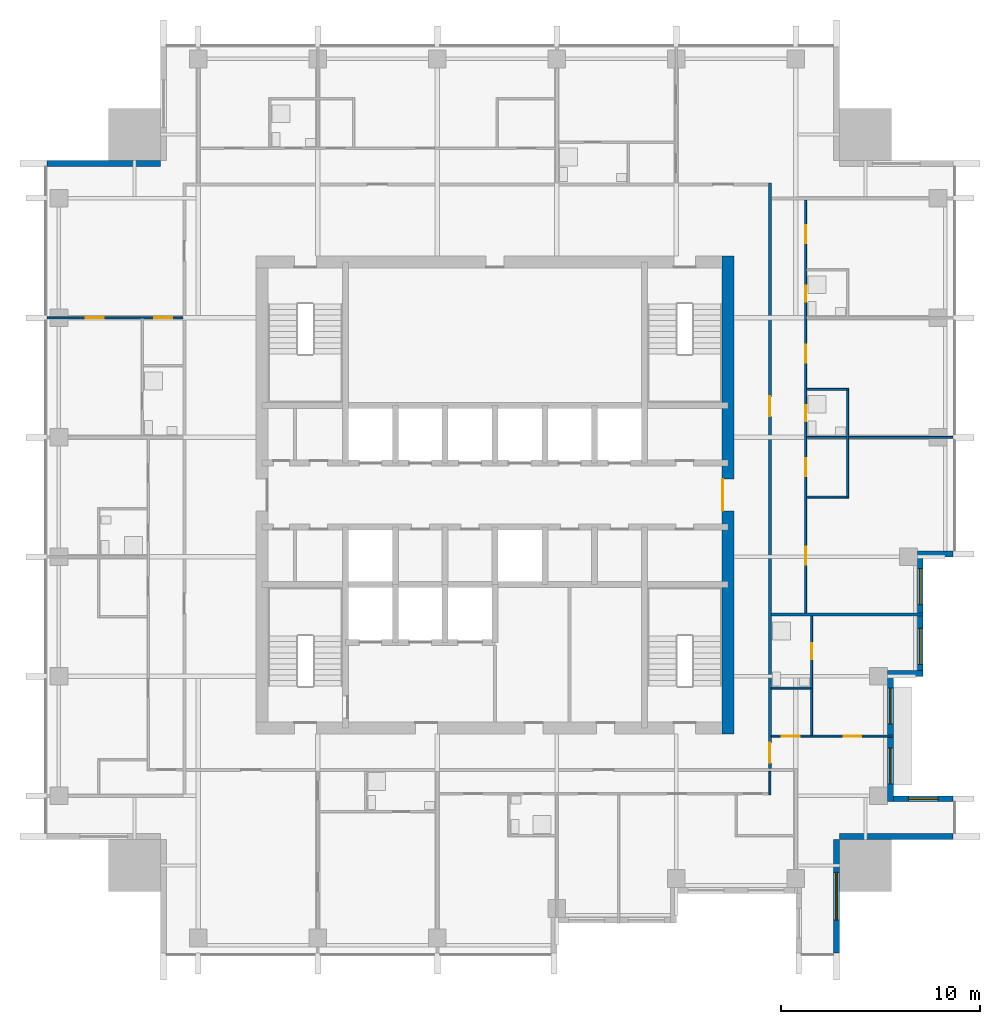
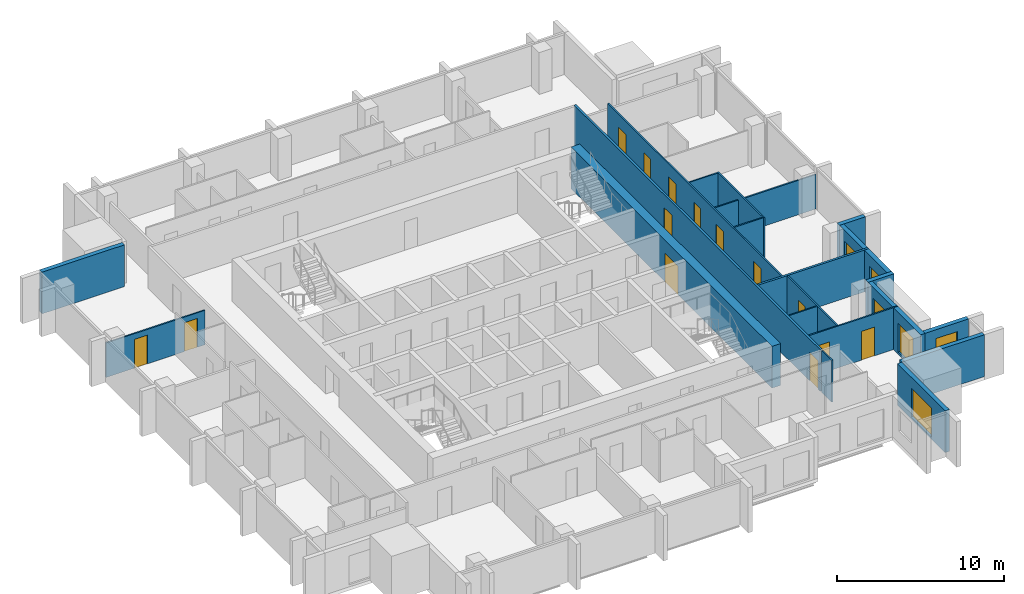
# One storey, part 6 of 10: 21 walls, 14 doors, 6 windows, 20 openings.
"""IFC4 building model written with IfcOpenShell, lengths in metres."""

from ifc_helpers import new_model, si_unit, direction, frame, frame_2d, origin, place, context, subcontext, project, spatial, rectangle, extrude, material, layer, layer_set, type_object, element, fill, save


model = new_model("IFC4")

# Units and contexts
model_context = context("Model", 3, precision=1e-05, world=origin(), true_north=direction((0.0, 1.0)))
body_context = subcontext(model_context, "Body", "Model", "MODEL_VIEW")
ifc_project = project(units=[si_unit("LENGTHUNIT", "METRE"), si_unit("AREAUNIT", "SQUARE_METRE"), si_unit("VOLUMEUNIT", "CUBIC_METRE"), si_unit("PLANEANGLEUNIT", "RADIAN"), si_unit("MASSUNIT", "GRAM", prefix="KILO")], contexts=[model_context])

# Site, building, storey
site_placement = place(None, origin())
site = spatial("IfcSite", under=ifc_project, at=site_placement, CompositionType="ELEMENT")
building_placement = place(site_placement, origin())
building = spatial("IfcBuilding", under=site, at=building_placement, Name="Amberfall Residences", CompositionType="ELEMENT")
storey_placement = place(building_placement, frame((0.0, 0.0, 190.300048828125)))
storey = spatial("IfcBuildingStorey", under=building, at=storey_placement, Name="L50", CompositionType="ELEMENT", Elevation=190.300048828125)

# Wall, opening, window
ifc_material_1 = material(Name="Pale stone cladding on insulated backing", Category="masonry")
ifc_layer_1 = layer(ifc_material_1, 0.300048828125)
ifc_layer_set_1 = layer_set([ifc_layer_1], Name="Bronze clad wall 300")
wall_type_1 = type_object("IfcWallType", Name="Bronze clad wall 300", PredefinedType="SOLIDWALL", material=ifc_layer_set_1)
wall_1_placement = place(storey_placement, frame((91.64990234375, 22.5, 0.0), z_axis=(0.0, 0.0, 1.0), x_axis=(0.0, 1.0, 0.0)))
wall_1 = element("IfcWall", 1, at=wall_1_placement, inside=storey, type_object=wall_type_1, Name="External wall L50 SE", PredefinedType="SOLIDWALL", context=body_context, shape_type="SweptSolid", body=[
    extrude(rectangle(XDim=5.699951171875, YDim=0.300048828125, at=frame_2d((2.85009765625, 0.0))), origin(), (0.0, 0.0, 1.0), 3.050048828125),
])
opening_1_placement = place(wall_1_placement, frame((1.64990234375, 0.0, 0.14990234375)))
opening_1 = element("IfcOpeningElement", 2, at=opening_1_placement, cuts=wall_1, Name="Opening WN5", PredefinedType="OPENING", context=body_context, shape_type="SweptSolid", body=[
    extrude(rectangle(XDim=2.39990234375, YDim=2.10009765625, at=frame_2d((1.199951171875, 1.050048828125))), frame((0.0, 0.159912109375, 0.0), z_axis=(0.0, -1.0, 0.0), x_axis=(1.0, 0.0, 0.0)), (0.0, 0.0, 1.0), 0.320068359375),
])
ifc_material_2 = material(Name="Bronze aluminium framed glazing", Category="aluminium")
window_type_1 = type_object("IfcWindowType", Name="Glazed opening 2400 x 2100 bronze", PartitioningType="DOUBLE_PANEL_VERTICAL", PredefinedType="WINDOW", material=ifc_material_2)
window_1_placement = place(opening_1_placement, origin())
window_1 = element("IfcWindow", 3, at=window_1_placement, inside=storey, type_object=window_type_1, Name="Window L50 SE", OverallHeight=2.10009765625, OverallWidth=2.39990234375, PartitioningType="DOUBLE_PANEL_VERTICAL", PredefinedType="WINDOW", context=body_context, shape_type="SweptSolid", body=[
    extrude(rectangle(XDim=2.39990234375, YDim=2.10009765625, at=frame_2d((1.199951171875, 1.050048828125))), frame((0.0, 0.030029296875, 0.0), z_axis=(0.0, -1.0, 0.0), x_axis=(1.0, 0.0, 0.0)), (0.0, 0.0, 1.0), 0.06005859375),
])
fill(opening_1, window_1)

# Wall
wall_2_placement = place(storey_placement, frame((91.800048828125, 28.35009765625, 0.0), z_axis=(0.0, 0.0, 1.0), x_axis=(1.0, 0.0, 0.0)))
element("IfcWall", 4, at=wall_2_placement, inside=storey, type_object=wall_type_1, Name="External wall L50 SE", PredefinedType="SOLIDWALL", context=body_context, shape_type="SweptSolid", body=[
    extrude(rectangle(XDim=5.699951171875, YDim=0.300048828125, at=frame_2d((2.85009765625, 0.0))), origin(), (0.0, 0.0, 1.0), 3.050048828125),
])

# Wall, opening, window
wall_3_placement = place(storey_placement, frame((97.5, 30.25, 0.0), z_axis=(0.0, 0.0, 1.0), x_axis=(-1.0, 0.0, 0.0)))
wall_3 = element("IfcWall", 5, at=wall_3_placement, inside=storey, type_object=wall_type_1, Name="External wall L50 E", PredefinedType="SOLIDWALL", context=body_context, shape_type="SweptSolid", body=[
    extrude(rectangle(XDim=3.0, YDim=0.300048828125, at=frame_2d((1.5, 0.0))), origin(), (0.0, 0.0, 1.0), 3.050048828125),
])
opening_2_placement = place(wall_3_placement, frame((0.75, 0.0, 0.89990234375)))
opening_2 = element("IfcOpeningElement", 6, at=opening_2_placement, cuts=wall_3, Name="Opening WN1", PredefinedType="OPENING", context=body_context, shape_type="SweptSolid", body=[
    extrude(rectangle(XDim=1.5, YDim=1.5, at=frame_2d((0.75, 0.75))), frame((0.0, 0.159912109375, 0.0), z_axis=(0.0, -1.0, 0.0), x_axis=(1.0, 0.0, 0.0)), (0.0, 0.0, 1.0), 0.320068359375),
])
window_type_2 = type_object("IfcWindowType", Name="Window 1500 x 1500 bronze", PartitioningType="DOUBLE_PANEL_VERTICAL", PredefinedType="WINDOW", material=ifc_material_2)
window_2_placement = place(opening_2_placement, origin())
window_2 = element("IfcWindow", 7, at=window_2_placement, inside=storey, type_object=window_type_2, Name="Window L50 E", OverallHeight=1.5, OverallWidth=1.5, PartitioningType="DOUBLE_PANEL_VERTICAL", PredefinedType="WINDOW", context=body_context, shape_type="SweptSolid", body=[
    extrude(rectangle(XDim=1.5, YDim=1.5, at=frame_2d((0.75, 0.75))), frame((0.0, 0.030029296875, 0.0), z_axis=(0.0, -1.0, 0.0), x_axis=(1.0, 0.0, 0.0)), (0.0, 0.0, 1.0), 0.06005859375),
])
fill(opening_2, window_2)

# Walls
for number, where, z_axis, x_axis, name in (
    (8, (94.199951171875, 36.550048828125, 0.0), (0.0, 0.0, 1.0), (1.0, 0.0, 0.0), "External wall L50 E"),
    (9, (95.699951171875, 42.550048828125, 0.0), (0.0, 0.0, 1.0), (1.0, 0.0, 0.0), "External wall L50 E"),
):
    element("IfcWall", number, at=place(storey_placement, frame(where, z_axis=z_axis, x_axis=x_axis)), inside=storey, type_object=wall_type_1, Name=name, PredefinedType="SOLIDWALL", context=body_context, shape_type="SweptSolid", body=[
        extrude(rectangle(XDim=1.800048828125, YDim=0.300048828125, at=frame_2d((0.89990234375, 0.0))), origin(), (0.0, 0.0, 1.0), 3.050048828125),
    ])
wall_4_placement = place(storey_placement, frame((57.699951171875, 62.14990234375, 0.0), z_axis=(0.0, 0.0, 1.0), x_axis=(-1.0, 0.0, 0.0)))
element("IfcWall", 10, at=wall_4_placement, inside=storey, type_object=wall_type_1, Name="External wall L50 NW", PredefinedType="SOLIDWALL", context=body_context, shape_type="SweptSolid", body=[
    extrude(rectangle(XDim=5.699951171875, YDim=0.300048828125, at=frame_2d((2.85009765625, 0.0))), origin(), (0.0, 0.0, 1.0), 3.050048828125),
])

# Wall, openings, windows
wall_5_placement = place(storey_placement, frame((94.35009765625, 30.10009765625, 0.0), z_axis=(0.0, 0.0, 1.0), x_axis=(0.0, 1.0, 0.0)))
wall_5 = element("IfcWall", 11, at=wall_5_placement, inside=storey, type_object=wall_type_1, Name="Stone wall L50 E", PredefinedType="SOLIDWALL", context=body_context, shape_type="SweptSolid", body=[
    extrude(rectangle(XDim=6.2998046875, YDim=0.300048828125, at=frame_2d((3.14990234375, 0.0))), origin(), (0.0, 0.0, 1.0), 3.050048828125),
])
opening_3_placement = place(wall_5_placement, frame((0.89990234375, 0.0, 0.14990234375)))
opening_3 = element("IfcOpeningElement", 12, at=opening_3_placement, cuts=wall_5, Name="Opening WN6", PredefinedType="OPENING", context=body_context, shape_type="SweptSolid", body=[
    extrude(rectangle(XDim=1.800048828125, YDim=2.10009765625, at=frame_2d((0.89990234375, 1.050048828125))), frame((0.0, 0.159912109375, 0.0), z_axis=(0.0, -1.0, 0.0), x_axis=(1.0, 0.0, 0.0)), (0.0, 0.0, 1.0), 0.320068359375),
])
opening_4_placement = place(wall_5_placement, frame((3.89990234375, 0.0, 0.14990234375)))
opening_4 = element("IfcOpeningElement", 13, at=opening_4_placement, cuts=wall_5, Name="Opening WN6", PredefinedType="OPENING", context=body_context, shape_type="SweptSolid", body=[
    extrude(rectangle(XDim=1.800048828125, YDim=2.10009765625, at=frame_2d((0.89990234375, 1.050048828125))), frame((0.0, 0.159912109375, 0.0), z_axis=(0.0, -1.0, 0.0), x_axis=(1.0, 0.0, 0.0)), (0.0, 0.0, 1.0), 0.320068359375),
])
window_type_3 = type_object("IfcWindowType", Name="Glazed opening 1800 x 2100 bronze", PartitioningType="DOUBLE_PANEL_VERTICAL", PredefinedType="WINDOW", material=ifc_material_2)
window_3_placement = place(opening_3_placement, origin())
window_3 = element("IfcWindow", 14, at=window_3_placement, inside=storey, type_object=window_type_3, Name="Window L50 E", OverallHeight=2.10009765625, OverallWidth=1.800048828125, PartitioningType="DOUBLE_PANEL_VERTICAL", PredefinedType="WINDOW", context=body_context, shape_type="SweptSolid", body=[
    extrude(rectangle(XDim=1.800048828125, YDim=2.10009765625, at=frame_2d((0.89990234375, 1.050048828125))), frame((0.0, 0.030029296875, 0.0), z_axis=(0.0, -1.0, 0.0), x_axis=(1.0, 0.0, 0.0)), (0.0, 0.0, 1.0), 0.06005859375),
])
fill(opening_3, window_3)
window_4_placement = place(opening_4_placement, origin())
window_4 = element("IfcWindow", 15, at=window_4_placement, inside=storey, type_object=window_type_3, Name="Window L50 E", OverallHeight=2.10009765625, OverallWidth=1.800048828125, PartitioningType="DOUBLE_PANEL_VERTICAL", PredefinedType="WINDOW", context=body_context, shape_type="SweptSolid", body=[
    extrude(rectangle(XDim=1.800048828125, YDim=2.10009765625, at=frame_2d((0.89990234375, 1.050048828125))), frame((0.0, 0.030029296875, 0.0), z_axis=(0.0, -1.0, 0.0), x_axis=(1.0, 0.0, 0.0)), (0.0, 0.0, 1.0), 0.06005859375),
])
fill(opening_4, window_4)

wall_6_placement = place(storey_placement, frame((95.85009765625, 36.699951171875, 0.0), z_axis=(0.0, 0.0, 1.0), x_axis=(0.0, 1.0, 0.0)))
wall_6 = element("IfcWall", 16, at=wall_6_placement, inside=storey, type_object=wall_type_1, Name="Stone wall L50 E", PredefinedType="SOLIDWALL", context=body_context, shape_type="SweptSolid", body=[
    extrude(rectangle(XDim=5.699951171875, YDim=0.300048828125, at=frame_2d((2.85009765625, 0.0))), origin(), (0.0, 0.0, 1.0), 3.050048828125),
])
opening_5_placement = place(wall_6_placement, frame((0.300048828125, 0.0, 0.14990234375)))
opening_5 = element("IfcOpeningElement", 17, at=opening_5_placement, cuts=wall_6, Name="Opening WN6", PredefinedType="OPENING", context=body_context, shape_type="SweptSolid", body=[
    extrude(rectangle(XDim=1.800048828125, YDim=2.10009765625, at=frame_2d((0.89990234375, 1.050048828125))), frame((0.0, 0.159912109375, 0.0), z_axis=(0.0, -1.0, 0.0), x_axis=(1.0, 0.0, 0.0)), (0.0, 0.0, 1.0), 0.320068359375),
])
opening_6_placement = place(wall_6_placement, frame((3.300048828125, 0.0, 0.14990234375)))
opening_6 = element("IfcOpeningElement", 18, at=opening_6_placement, cuts=wall_6, Name="Opening WN6", PredefinedType="OPENING", context=body_context, shape_type="SweptSolid", body=[
    extrude(rectangle(XDim=1.800048828125, YDim=2.10009765625, at=frame_2d((0.89990234375, 1.050048828125))), frame((0.0, 0.159912109375, 0.0), z_axis=(0.0, -1.0, 0.0), x_axis=(1.0, 0.0, 0.0)), (0.0, 0.0, 1.0), 0.320068359375),
])
window_5_placement = place(opening_5_placement, origin())
window_5 = element("IfcWindow", 19, at=window_5_placement, inside=storey, type_object=window_type_3, Name="Window L50 E", OverallHeight=2.10009765625, OverallWidth=1.800048828125, PartitioningType="DOUBLE_PANEL_VERTICAL", PredefinedType="WINDOW", context=body_context, shape_type="SweptSolid", body=[
    extrude(rectangle(XDim=1.800048828125, YDim=2.10009765625, at=frame_2d((0.89990234375, 1.050048828125))), frame((0.0, 0.030029296875, 0.0), z_axis=(0.0, -1.0, 0.0), x_axis=(1.0, 0.0, 0.0)), (0.0, 0.0, 1.0), 0.06005859375),
])
fill(opening_5, window_5)
window_6_placement = place(opening_6_placement, origin())
window_6 = element("IfcWindow", 20, at=window_6_placement, inside=storey, type_object=window_type_3, Name="Window L50 E", OverallHeight=2.10009765625, OverallWidth=1.800048828125, PartitioningType="DOUBLE_PANEL_VERTICAL", PredefinedType="WINDOW", context=body_context, shape_type="SweptSolid", body=[
    extrude(rectangle(XDim=1.800048828125, YDim=2.10009765625, at=frame_2d((0.89990234375, 1.050048828125))), frame((0.0, 0.030029296875, 0.0), z_axis=(0.0, -1.0, 0.0), x_axis=(1.0, 0.0, 0.0)), (0.0, 0.0, 1.0), 0.06005859375),
])
fill(opening_6, window_6)

# Wall, opening, door
ifc_material_3 = material(Name="Concrete C55", Category="concrete")
ifc_layer_2 = layer(ifc_material_3, 0.60009765625)
ifc_layer_set_2 = layer_set([ifc_layer_2], Name="Core wall 600 C55")
wall_type_2 = type_object("IfcWallType", Name="Core wall 600 C55", PredefinedType="SHEAR", material=ifc_layer_set_2)
wall_7_placement = place(storey_placement, frame((86.199951171875, 33.5, 0.0), z_axis=(0.0, 0.0, 1.0), x_axis=(0.0, 1.0, 0.0)))
wall_7 = element("IfcWall", 21, at=wall_7_placement, inside=storey, type_object=wall_type_2, Name="Core wall RW7 L50 OE", PredefinedType="SHEAR", context=body_context, shape_type="SweptSolid", body=[
    extrude(rectangle(XDim=24.0, YDim=0.60009765625, at=frame_2d((12.0, 0.0))), origin(), (0.0, 0.0, 1.0), 3.050048828125),
])
opening_7_placement = place(wall_7_placement, frame((11.199951171875, 0.0, 0.0)))
opening_7 = element("IfcOpeningElement", 22, at=opening_7_placement, cuts=wall_7, Name="Opening LB1", PredefinedType="OPENING", context=body_context, shape_type="SweptSolid", body=[
    extrude(rectangle(XDim=1.60009765625, YDim=2.10009765625, at=frame_2d((0.800048828125, 1.050048828125))), frame((0.0, 0.31005859375, 0.0), z_axis=(0.0, -1.0, 0.0), x_axis=(1.0, 0.0, 0.0)), (0.0, 0.0, 1.0), 0.6201171875),
])
ifc_material_4 = material(Name="Steel fire door set", Category="steel")
door_type_1 = type_object("IfcDoorType", Name="Lift lobby double door 1600 x 2100", OperationType="DOUBLE_DOOR_SINGLE_SWING", PredefinedType="DOOR", material=ifc_material_4)
door_1_placement = place(opening_7_placement, origin())
door_1 = element("IfcDoor", 23, at=door_1_placement, inside=storey, type_object=door_type_1, Name="LB1 L50", OperationType="DOUBLE_DOOR_SINGLE_SWING", OverallHeight=2.10009765625, OverallWidth=1.60009765625, PredefinedType="DOOR", context=body_context, shape_type="SweptSolid", body=[
    extrude(rectangle(XDim=1.60009765625, YDim=2.10009765625, at=frame_2d((0.800048828125, 1.050048828125))), frame((0.0, 0.28759765625, 0.0), z_axis=(0.0, -1.0, 0.0), x_axis=(1.0, 0.0, 0.0)), (0.0, 0.0, 1.0), 0.050048828125),
])
fill(opening_7, door_1)

# Wall
ifc_material_5 = material(Name="Gypsum board on metal stud")
ifc_layer_3 = layer(ifc_material_5, 0.10009765625)
ifc_layer_set_3 = layer_set([ifc_layer_3], Name="Flat partition 100")
wall_type_3 = type_object("IfcWallType", Name="Flat partition 100", PredefinedType="PARTITIONING", material=ifc_layer_set_3)
wall_8_placement = place(storey_placement, frame((88.300048828125, 30.449951171875, 0.0), z_axis=(0.0, 0.0, 1.0), x_axis=(0.0, 1.0, 0.0)))
element("IfcWall", 24, at=wall_8_placement, inside=storey, type_object=wall_type_3, Name="Partition 017", PredefinedType="PARTITIONING", context=body_context, shape_type="SweptSolid", body=[
    extrude(rectangle(XDim=1.175048828125, YDim=0.10009765625, at=frame_2d((0.58740234375, 0.0))), origin(), (0.0, 0.0, 1.0), 3.050048828125),
])

# Wall, openings, doors
wall_9_placement = place(storey_placement, frame((90.10009765625, 60.324951171875, 0.0), z_axis=(0.0, 0.0, 1.0), x_axis=(0.0, -1.0, 0.0)))
wall_9 = element("IfcWall", 25, at=wall_9_placement, inside=storey, type_object=wall_type_3, Name="Partition 018", PredefinedType="PARTITIONING", context=body_context, shape_type="SweptSolid", body=[
    extrude(rectangle(XDim=20.75, YDim=0.10009765625, at=frame_2d((10.375, 0.0))), origin(), (0.0, 0.0, 1.0), 3.050048828125),
])
opening_8_placement = place(wall_9_placement, frame((17.425048828125, 0.0, 0.0)))
opening_8 = element("IfcOpeningElement", 26, at=opening_8_placement, cuts=wall_9, Name="Opening D41", PredefinedType="OPENING", context=body_context, shape_type="SweptSolid", body=[
    extrude(rectangle(XDim=0.89990234375, YDim=2.10009765625, at=frame_2d((0.449951171875, 1.050048828125))), frame((0.0, 0.06005859375, 0.0), z_axis=(0.0, -1.0, 0.0), x_axis=(1.0, 0.0, 0.0)), (0.0, 0.0, 1.0), 0.1201171875),
])
opening_9_placement = place(wall_9_placement, frame((12.97509765625, 0.0, 0.0)))
opening_9 = element("IfcOpeningElement", 27, at=opening_9_placement, cuts=wall_9, Name="Opening D41", PredefinedType="OPENING", context=body_context, shape_type="SweptSolid", body=[
    extrude(rectangle(XDim=0.89990234375, YDim=2.10009765625, at=frame_2d((0.449951171875, 1.050048828125))), frame((0.0, 0.06005859375, 0.0), z_axis=(0.0, -1.0, 0.0), x_axis=(1.0, 0.0, 0.0)), (0.0, 0.0, 1.0), 0.1201171875),
])
opening_10_placement = place(wall_9_placement, frame((7.27490234375, 0.0, 0.0)))
opening_10 = element("IfcOpeningElement", 28, at=opening_10_placement, cuts=wall_9, Name="Opening D41", PredefinedType="OPENING", context=body_context, shape_type="SweptSolid", body=[
    extrude(rectangle(XDim=0.89990234375, YDim=2.10009765625, at=frame_2d((0.449951171875, 1.050048828125))), frame((0.0, 0.06005859375, 0.0), z_axis=(0.0, -1.0, 0.0), x_axis=(1.0, 0.0, 0.0)), (0.0, 0.0, 1.0), 0.1201171875),
])
opening_11_placement = place(wall_9_placement, frame((1.27490234375, 0.0, 0.0)))
opening_11 = element("IfcOpeningElement", 29, at=opening_11_placement, cuts=wall_9, Name="Opening D41", PredefinedType="OPENING", context=body_context, shape_type="SweptSolid", body=[
    extrude(rectangle(XDim=0.89990234375, YDim=2.10009765625, at=frame_2d((0.449951171875, 1.050048828125))), frame((0.0, 0.06005859375, 0.0), z_axis=(0.0, -1.0, 0.0), x_axis=(1.0, 0.0, 0.0)), (0.0, 0.0, 1.0), 0.1201171875),
])
opening_12_placement = place(wall_9_placement, frame((10.324951171875, 0.0, 0.0)))
opening_12 = element("IfcOpeningElement", 30, at=opening_12_placement, cuts=wall_9, Name="Opening D42", PredefinedType="OPENING", context=body_context, shape_type="SweptSolid", body=[
    extrude(rectangle(XDim=0.800048828125, YDim=2.10009765625, at=frame_2d((0.39990234375, 1.050048828125))), frame((0.0, 0.06005859375, 0.0), z_axis=(0.0, -1.0, 0.0), x_axis=(1.0, 0.0, 0.0)), (0.0, 0.0, 1.0), 0.1201171875),
])
opening_13_placement = place(wall_9_placement, frame((4.324951171875, 0.0, 0.0)))
opening_13 = element("IfcOpeningElement", 31, at=opening_13_placement, cuts=wall_9, Name="Opening D42", PredefinedType="OPENING", context=body_context, shape_type="SweptSolid", body=[
    extrude(rectangle(XDim=0.800048828125, YDim=2.10009765625, at=frame_2d((0.39990234375, 1.050048828125))), frame((0.0, 0.06005859375, 0.0), z_axis=(0.0, -1.0, 0.0), x_axis=(1.0, 0.0, 0.0)), (0.0, 0.0, 1.0), 0.1201171875),
])
ifc_material_6 = material(Name="Timber", Category="wood")
door_type_2 = type_object("IfcDoorType", Name="Bathroom door 800 x 2100", OperationType="SINGLE_SWING_LEFT", PredefinedType="DOOR", material=ifc_material_6)
door_2_placement = place(opening_12_placement, origin())
door_2 = element("IfcDoor", 32, at=door_2_placement, inside=storey, type_object=door_type_2, Name="Door 5004 bath1", OperationType="SINGLE_SWING_LEFT", OverallHeight=2.10009765625, OverallWidth=0.800048828125, PredefinedType="DOOR", context=body_context, shape_type="SweptSolid", body=[
    extrude(rectangle(XDim=0.800048828125, YDim=2.10009765625, at=frame_2d((0.39990234375, 1.050048828125))), frame((0.0, 0.02490234375, 0.0), z_axis=(0.0, -1.0, 0.0), x_axis=(1.0, 0.0, 0.0)), (0.0, 0.0, 1.0), 0.050048828125),
])
fill(opening_12, door_2)
door_3_placement = place(opening_13_placement, origin())
door_3 = element("IfcDoor", 33, at=door_3_placement, inside=storey, type_object=door_type_2, Name="Door 5004 bath2", OperationType="SINGLE_SWING_LEFT", OverallHeight=2.10009765625, OverallWidth=0.800048828125, PredefinedType="DOOR", context=body_context, shape_type="SweptSolid", body=[
    extrude(rectangle(XDim=0.800048828125, YDim=2.10009765625, at=frame_2d((0.39990234375, 1.050048828125))), frame((0.0, 0.02490234375, 0.0), z_axis=(0.0, -1.0, 0.0), x_axis=(1.0, 0.0, 0.0)), (0.0, 0.0, 1.0), 0.050048828125),
])
fill(opening_13, door_3)
door_type_3 = type_object("IfcDoorType", Name="Internal door 900 x 2100", OperationType="SINGLE_SWING_LEFT", PredefinedType="DOOR", material=ifc_material_6)
door_4_placement = place(opening_8_placement, origin())
door_4 = element("IfcDoor", 34, at=door_4_placement, inside=storey, type_object=door_type_3, Name="Door 5004 living", OperationType="SINGLE_SWING_LEFT", OverallHeight=2.10009765625, OverallWidth=0.89990234375, PredefinedType="DOOR", context=body_context, shape_type="SweptSolid", body=[
    extrude(rectangle(XDim=0.89990234375, YDim=2.10009765625, at=frame_2d((0.449951171875, 1.050048828125))), frame((0.0, 0.02490234375, 0.0), z_axis=(0.0, -1.0, 0.0), x_axis=(1.0, 0.0, 0.0)), (0.0, 0.0, 1.0), 0.050048828125),
])
fill(opening_8, door_4)
door_5_placement = place(opening_9_placement, origin())
door_5 = element("IfcDoor", 35, at=door_5_placement, inside=storey, type_object=door_type_3, Name="Door 5004 kitchen", OperationType="SINGLE_SWING_LEFT", OverallHeight=2.10009765625, OverallWidth=0.89990234375, PredefinedType="DOOR", context=body_context, shape_type="SweptSolid", body=[
    extrude(rectangle(XDim=0.89990234375, YDim=2.10009765625, at=frame_2d((0.449951171875, 1.050048828125))), frame((0.0, 0.02490234375, 0.0), z_axis=(0.0, -1.0, 0.0), x_axis=(1.0, 0.0, 0.0)), (0.0, 0.0, 1.0), 0.050048828125),
])
fill(opening_9, door_5)
door_6_placement = place(opening_10_placement, origin())
door_6 = element("IfcDoor", 36, at=door_6_placement, inside=storey, type_object=door_type_3, Name="Door 5004 bedroom1", OperationType="SINGLE_SWING_LEFT", OverallHeight=2.10009765625, OverallWidth=0.89990234375, PredefinedType="DOOR", context=body_context, shape_type="SweptSolid", body=[
    extrude(rectangle(XDim=0.89990234375, YDim=2.10009765625, at=frame_2d((0.449951171875, 1.050048828125))), frame((0.0, 0.02490234375, 0.0), z_axis=(0.0, -1.0, 0.0), x_axis=(1.0, 0.0, 0.0)), (0.0, 0.0, 1.0), 0.050048828125),
])
fill(opening_10, door_6)
door_7_placement = place(opening_11_placement, origin())
door_7 = element("IfcDoor", 37, at=door_7_placement, inside=storey, type_object=door_type_3, Name="Door 5004 bedroom2", OperationType="SINGLE_SWING_LEFT", OverallHeight=2.10009765625, OverallWidth=0.89990234375, PredefinedType="DOOR", context=body_context, shape_type="SweptSolid", body=[
    extrude(rectangle(XDim=0.89990234375, YDim=2.10009765625, at=frame_2d((0.449951171875, 1.050048828125))), frame((0.0, 0.02490234375, 0.0), z_axis=(0.0, -1.0, 0.0), x_axis=(1.0, 0.0, 0.0)), (0.0, 0.0, 1.0), 0.050048828125),
])
fill(opening_11, door_7)

# Wall, opening, door
wall_10_placement = place(storey_placement, frame((90.39990234375, 33.449951171875, 0.0), z_axis=(0.0, 0.0, 1.0), x_axis=(0.0, 1.0, 0.0)))
wall_10 = element("IfcWall", 38, at=wall_10_placement, inside=storey, type_object=wall_type_3, Name="Partition 019", PredefinedType="PARTITIONING", context=body_context, shape_type="SweptSolid", body=[
    extrude(rectangle(XDim=5.97509765625, YDim=0.10009765625, at=frame_2d((2.987548828125, 0.0))), origin(), (0.0, 0.0, 1.0), 3.050048828125),
])
opening_14_placement = place(wall_10_placement, frame((3.800048828125, 0.0, 0.0)))
opening_14 = element("IfcOpeningElement", 39, at=opening_14_placement, cuts=wall_10, Name="Opening D42", PredefinedType="OPENING", context=body_context, shape_type="SweptSolid", body=[
    extrude(rectangle(XDim=0.800048828125, YDim=2.10009765625, at=frame_2d((0.39990234375, 1.050048828125))), frame((0.0, 0.06005859375, 0.0), z_axis=(0.0, -1.0, 0.0), x_axis=(1.0, 0.0, 0.0)), (0.0, 0.0, 1.0), 0.1201171875),
])
door_8_placement = place(opening_14_placement, origin())
door_8 = element("IfcDoor", 40, at=door_8_placement, inside=storey, type_object=door_type_2, Name="Door 5003 bath1", OperationType="SINGLE_SWING_LEFT", OverallHeight=2.10009765625, OverallWidth=0.800048828125, PredefinedType="DOOR", context=body_context, shape_type="SweptSolid", body=[
    extrude(rectangle(XDim=0.800048828125, YDim=2.10009765625, at=frame_2d((0.39990234375, 1.050048828125))), frame((0.0, 0.02490234375, 0.0), z_axis=(0.0, -1.0, 0.0), x_axis=(1.0, 0.0, 0.0)), (0.0, 0.0, 1.0), 0.050048828125),
])
fill(opening_14, door_8)

# Wall
wall_11_placement = place(storey_placement, frame((92.199951171875, 45.35009765625, 0.0), z_axis=(0.0, 0.0, 1.0), x_axis=(0.0, 1.0, 0.0)))
element("IfcWall", 41, at=wall_11_placement, inside=storey, type_object=wall_type_3, Name="Partition 020", PredefinedType="PARTITIONING", context=body_context, shape_type="SweptSolid", body=[
    extrude(rectangle(XDim=5.5, YDim=0.10009765625, at=frame_2d((2.75, 0.0))), origin(), (0.0, 0.0, 1.0), 3.050048828125),
])

# Wall, openings, doors
wall_12_placement = place(storey_placement, frame((58.824951171875, 54.39990234375, 0.0), z_axis=(0.0, 0.0, 1.0), x_axis=(-1.0, 0.0, 0.0)))
wall_12 = element("IfcWall", 42, at=wall_12_placement, inside=storey, type_object=wall_type_3, Name="Partition 027", PredefinedType="PARTITIONING", context=body_context, shape_type="SweptSolid", body=[
    extrude(rectangle(XDim=6.824951171875, YDim=0.10009765625, at=frame_2d((3.41259765625, 0.0))), origin(), (0.0, 0.0, 1.0), 2.515869140625),
])
opening_15_placement = place(wall_12_placement, frame((0.52490234375, 0.0, 0.0)))
opening_15 = element("IfcOpeningElement", 43, at=opening_15_placement, cuts=wall_12, Name="Opening D41", PredefinedType="OPENING", context=body_context, shape_type="SweptSolid", body=[
    extrude(rectangle(XDim=0.89990234375, YDim=2.10009765625, at=frame_2d((0.449951171875, 1.050048828125))), frame((0.0, 0.06005859375, 0.0), z_axis=(0.0, -1.0, 0.0), x_axis=(1.0, 0.0, 0.0)), (0.0, 0.0, 1.0), 0.1201171875),
])
opening_16_placement = place(wall_12_placement, frame((3.97509765625, 0.0, 0.0)))
opening_16 = element("IfcOpeningElement", 44, at=opening_16_placement, cuts=wall_12, Name="Opening D41", PredefinedType="OPENING", context=body_context, shape_type="SweptSolid", body=[
    extrude(rectangle(XDim=0.89990234375, YDim=2.10009765625, at=frame_2d((0.449951171875, 1.050048828125))), frame((0.0, 0.06005859375, 0.0), z_axis=(0.0, -1.0, 0.0), x_axis=(1.0, 0.0, 0.0)), (0.0, 0.0, 1.0), 0.1201171875),
])
door_9_placement = place(opening_15_placement, origin())
door_9 = element("IfcDoor", 45, at=door_9_placement, inside=storey, type_object=door_type_3, Name="Door 5008 kitchen", OperationType="SINGLE_SWING_LEFT", OverallHeight=2.10009765625, OverallWidth=0.89990234375, PredefinedType="DOOR", context=body_context, shape_type="SweptSolid", body=[
    extrude(rectangle(XDim=0.89990234375, YDim=2.10009765625, at=frame_2d((0.449951171875, 1.050048828125))), frame((0.0, 0.02490234375, 0.0), z_axis=(0.0, -1.0, 0.0), x_axis=(1.0, 0.0, 0.0)), (0.0, 0.0, 1.0), 0.050048828125),
])
fill(opening_15, door_9)
door_10_placement = place(opening_16_placement, origin())
door_10 = element("IfcDoor", 46, at=door_10_placement, inside=storey, type_object=door_type_3, Name="Door 5008 bedroom1", OperationType="SINGLE_SWING_LEFT", OverallHeight=2.10009765625, OverallWidth=0.89990234375, PredefinedType="DOOR", context=body_context, shape_type="SweptSolid", body=[
    extrude(rectangle(XDim=0.89990234375, YDim=2.10009765625, at=frame_2d((0.449951171875, 1.050048828125))), frame((0.0, 0.02490234375, 0.0), z_axis=(0.0, -1.0, 0.0), x_axis=(1.0, 0.0, 0.0)), (0.0, 0.0, 1.0), 0.050048828125),
])
fill(opening_16, door_10)

# Walls
wall_13_placement = place(storey_placement, frame((90.14990234375, 50.800048828125, 0.0), z_axis=(0.0, 0.0, 1.0), x_axis=(1.0, 0.0, 0.0)))
element("IfcWall", 47, at=wall_13_placement, inside=storey, type_object=wall_type_3, Name="Partition 030", PredefinedType="PARTITIONING", context=body_context, shape_type="SweptSolid", body=[
    extrude(rectangle(XDim=2.0, YDim=0.10009765625, at=frame_2d((1.0, 0.0))), origin(), (0.0, 0.0, 1.0), 3.050048828125),
])
wall_14_placement = place(storey_placement, frame((90.14990234375, 48.39990234375, 0.0), z_axis=(0.0, 0.0, 1.0), x_axis=(1.0, 0.0, 0.0)))
element("IfcWall", 48, at=wall_14_placement, inside=storey, type_object=wall_type_3, Name="Partition 031", PredefinedType="PARTITIONING", context=body_context, shape_type="SweptSolid", body=[
    extrude(rectangle(XDim=7.35009765625, YDim=0.10009765625, at=frame_2d((3.675048828125, 0.0))), origin(), (0.0, 0.0, 1.0), 2.515869140625),
])
wall_15_placement = place(storey_placement, frame((90.14990234375, 45.39990234375, 0.0), z_axis=(0.0, 0.0, 1.0), x_axis=(1.0, 0.0, 0.0)))
element("IfcWall", 49, at=wall_15_placement, inside=storey, type_object=wall_type_3, Name="Partition 032", PredefinedType="PARTITIONING", context=body_context, shape_type="SweptSolid", body=[
    extrude(rectangle(XDim=2.0, YDim=0.10009765625, at=frame_2d((1.0, 0.0))), origin(), (0.0, 0.0, 1.0), 3.050048828125),
])
wall_16_placement = place(storey_placement, frame((88.375, 35.800048828125, 0.0), z_axis=(0.0, 0.0, 1.0), x_axis=(1.0, 0.0, 0.0)))
element("IfcWall", 50, at=wall_16_placement, inside=storey, type_object=wall_type_3, Name="Partition 036", PredefinedType="PARTITIONING", context=body_context, shape_type="SweptSolid", body=[
    extrude(rectangle(XDim=1.97509765625, YDim=0.10009765625, at=frame_2d((0.987548828125, 0.0))), origin(), (0.0, 0.0, 1.0), 3.050048828125),
])

# Wall, openings, doors
wall_17_placement = place(storey_placement, frame((88.375, 33.39990234375, 0.0), z_axis=(0.0, 0.0, 1.0), x_axis=(1.0, 0.0, 0.0)))
wall_17 = element("IfcWall", 51, at=wall_17_placement, inside=storey, type_object=wall_type_3, Name="Partition 037", PredefinedType="PARTITIONING", context=body_context, shape_type="SweptSolid", body=[
    extrude(rectangle(XDim=6.125, YDim=0.10009765625, at=frame_2d((3.0625, 0.0))), origin(), (0.0, 0.0, 1.0), 3.050048828125),
])
opening_17_placement = place(wall_17_placement, frame((0.52490234375, 0.0, 0.0)))
opening_17 = element("IfcOpeningElement", 52, at=opening_17_placement, cuts=wall_17, Name="Opening D41", PredefinedType="OPENING", context=body_context, shape_type="SweptSolid", body=[
    extrude(rectangle(XDim=0.89990234375, YDim=2.10009765625, at=frame_2d((0.449951171875, 1.050048828125))), frame((0.0, 0.06005859375, 0.0), z_axis=(0.0, -1.0, 0.0), x_axis=(1.0, 0.0, 0.0)), (0.0, 0.0, 1.0), 0.1201171875),
])
opening_18_placement = place(wall_17_placement, frame((3.625, 0.0, 0.0)))
opening_18 = element("IfcOpeningElement", 53, at=opening_18_placement, cuts=wall_17, Name="Opening D41", PredefinedType="OPENING", context=body_context, shape_type="SweptSolid", body=[
    extrude(rectangle(XDim=0.89990234375, YDim=2.10009765625, at=frame_2d((0.449951171875, 1.050048828125))), frame((0.0, 0.06005859375, 0.0), z_axis=(0.0, -1.0, 0.0), x_axis=(1.0, 0.0, 0.0)), (0.0, 0.0, 1.0), 0.1201171875),
])
door_11_placement = place(opening_17_placement, origin())
door_11 = element("IfcDoor", 54, at=door_11_placement, inside=storey, type_object=door_type_3, Name="Door 5003 kitchen", OperationType="SINGLE_SWING_LEFT", OverallHeight=2.10009765625, OverallWidth=0.89990234375, PredefinedType="DOOR", context=body_context, shape_type="SweptSolid", body=[
    extrude(rectangle(XDim=0.89990234375, YDim=2.10009765625, at=frame_2d((0.449951171875, 1.050048828125))), frame((0.0, 0.02490234375, 0.0), z_axis=(0.0, -1.0, 0.0), x_axis=(1.0, 0.0, 0.0)), (0.0, 0.0, 1.0), 0.050048828125),
])
fill(opening_17, door_11)
door_12_placement = place(opening_18_placement, origin())
door_12 = element("IfcDoor", 55, at=door_12_placement, inside=storey, type_object=door_type_3, Name="Door 5003 bedroom1", OperationType="SINGLE_SWING_LEFT", OverallHeight=2.10009765625, OverallWidth=0.89990234375, PredefinedType="DOOR", context=body_context, shape_type="SweptSolid", body=[
    extrude(rectangle(XDim=0.89990234375, YDim=2.10009765625, at=frame_2d((0.449951171875, 1.050048828125))), frame((0.0, 0.02490234375, 0.0), z_axis=(0.0, -1.0, 0.0), x_axis=(1.0, 0.0, 0.0)), (0.0, 0.0, 1.0), 0.050048828125),
])
fill(opening_18, door_12)

ifc_material_7 = material(Name="Blockwork, plastered", Category="masonry")
ifc_layer_4 = layer(ifc_material_7, 0.14990234375)
ifc_layer_set_4 = layer_set([ifc_layer_4], Name="Flat separating wall 150")
wall_type_4 = type_object("IfcWallType", Name="Flat separating wall 150", PredefinedType="PARTITIONING", material=ifc_layer_set_4)
wall_18_placement = place(storey_placement, frame((88.300048828125, 61.175048828125, 0.0), z_axis=(0.0, 0.0, 1.0), x_axis=(0.0, -1.0, 0.0)))
wall_18 = element("IfcWall", 56, at=wall_18_placement, inside=storey, type_object=wall_type_4, Name="Separating wall 048", PredefinedType="PARTITIONING", context=body_context, shape_type="SweptSolid", body=[
    extrude(rectangle(XDim=29.400146484375, YDim=0.14990234375, at=frame_2d((14.7001953125, 0.0))), origin(), (0.0, 0.0, 1.0), 3.050048828125),
])
opening_19_placement = place(wall_18_placement, frame((28.125, 0.0, 0.0)))
opening_19 = element("IfcOpeningElement", 57, at=opening_19_placement, cuts=wall_18, Name="Opening D40", PredefinedType="OPENING", context=body_context, shape_type="SweptSolid", body=[
    extrude(rectangle(XDim=1.0, YDim=2.10009765625, at=frame_2d((0.5, 1.050048828125))), frame((0.0, 0.0849609375, 0.0), z_axis=(0.0, -1.0, 0.0), x_axis=(1.0, 0.0, 0.0)), (0.0, 0.0, 1.0), 0.169921875),
])
opening_20_placement = place(wall_18_placement, frame((10.72509765625, 0.0, 0.0)))
opening_20 = element("IfcOpeningElement", 58, at=opening_20_placement, cuts=wall_18, Name="Opening D40", PredefinedType="OPENING", context=body_context, shape_type="SweptSolid", body=[
    extrude(rectangle(XDim=1.0, YDim=2.10009765625, at=frame_2d((0.5, 1.050048828125))), frame((0.0, 0.0849609375, 0.0), z_axis=(0.0, -1.0, 0.0), x_axis=(1.0, 0.0, 0.0)), (0.0, 0.0, 1.0), 0.169921875),
])
ifc_material_8 = material(Name="Timber, fire-rated", Category="wood")
door_type_4 = type_object("IfcDoorType", Name="Flat entrance door FD60 1000 x 2100", OperationType="SINGLE_SWING_LEFT", PredefinedType="DOOR", material=ifc_material_8)
door_13_placement = place(opening_19_placement, origin())
door_13 = element("IfcDoor", 59, at=door_13_placement, inside=storey, type_object=door_type_4, Name="Door 5003 entrance", OperationType="SINGLE_SWING_LEFT", OverallHeight=2.10009765625, OverallWidth=1.0, PredefinedType="DOOR", context=body_context, shape_type="SweptSolid", body=[
    extrude(rectangle(XDim=1.0, YDim=2.10009765625, at=frame_2d((0.5, 1.050048828125))), frame((0.0, 0.02490234375, 0.0), z_axis=(0.0, -1.0, 0.0), x_axis=(1.0, 0.0, 0.0)), (0.0, 0.0, 1.0), 0.050048828125),
])
fill(opening_19, door_13)
door_14_placement = place(opening_20_placement, origin())
door_14 = element("IfcDoor", 60, at=door_14_placement, inside=storey, type_object=door_type_4, Name="Door 5004 entrance", OperationType="SINGLE_SWING_LEFT", OverallHeight=2.10009765625, OverallWidth=1.0, PredefinedType="DOOR", context=body_context, shape_type="SweptSolid", body=[
    extrude(rectangle(XDim=1.0, YDim=2.10009765625, at=frame_2d((0.5, 1.050048828125))), frame((0.0, 0.02490234375, 0.0), z_axis=(0.0, -1.0, 0.0), x_axis=(1.0, 0.0, 0.0)), (0.0, 0.0, 1.0), 0.050048828125),
])
fill(opening_20, door_14)

# Wall
wall_19_placement = place(storey_placement, frame((88.375, 39.5, 0.0), z_axis=(0.0, 0.0, 1.0), x_axis=(1.0, 0.0, 0.0)))
element("IfcWall", 61, at=wall_19_placement, inside=storey, type_object=wall_type_4, Name="Separating wall 053", PredefinedType="PARTITIONING", context=body_context, shape_type="SweptSolid", body=[
    extrude(rectangle(XDim=7.625, YDim=0.14990234375, at=frame_2d((3.8125, 0.0))), origin(), (0.0, 0.0, 1.0), 3.050048828125),
])

save(model, "model.ifc")
